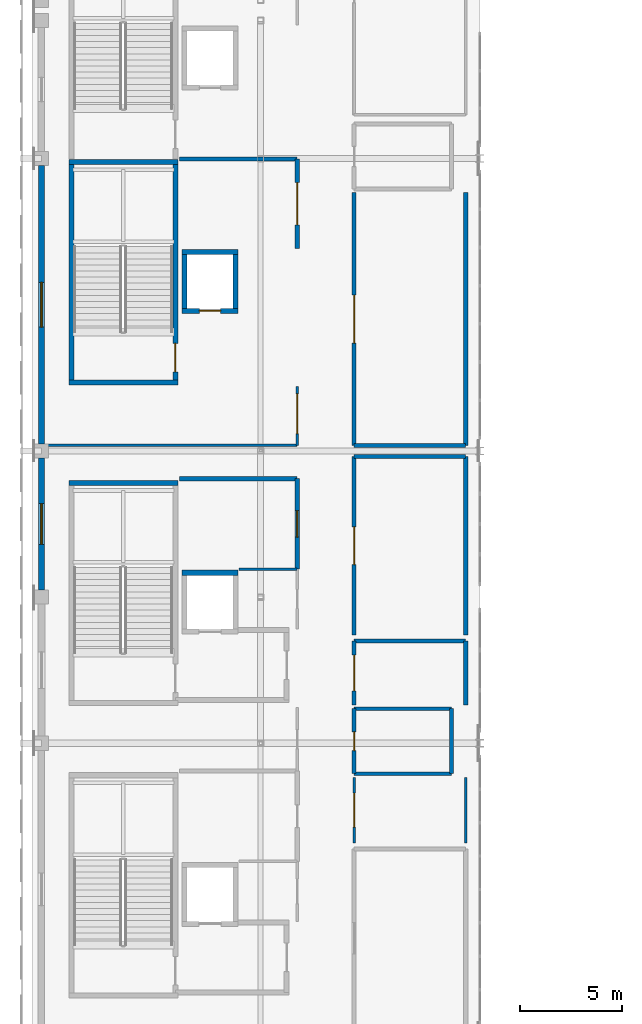
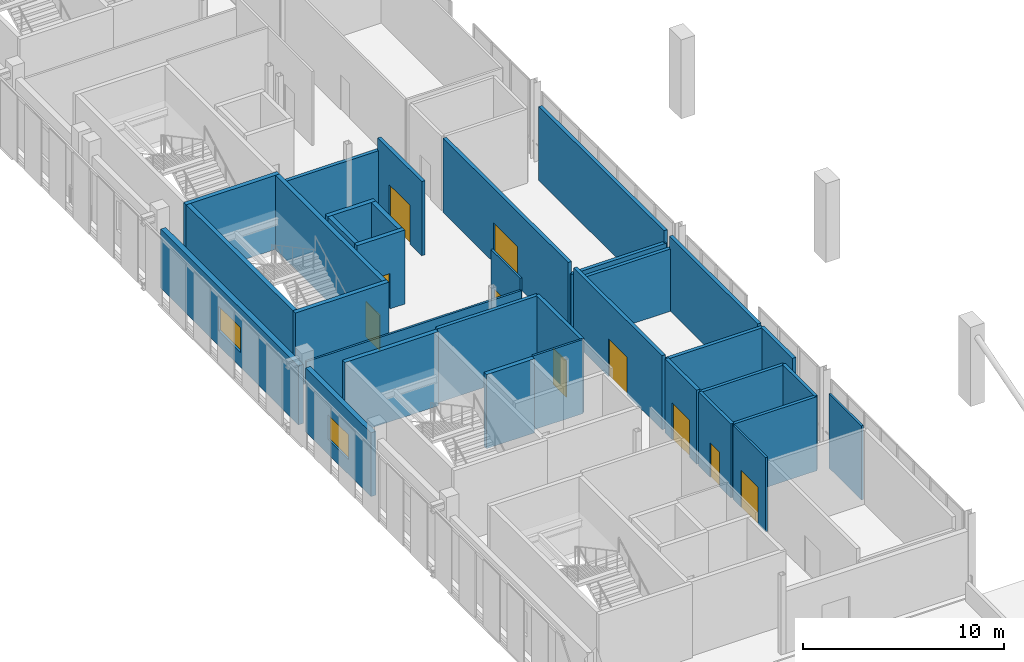
# One storey, part 32 of 51: 34 walls, 10 doors, 2 windows, 12 openings.
"""IFC4 building model written with IfcOpenShell, lengths in metres."""

from ifc_helpers import new_model, si_unit, direction, frame, frame_2d, origin, place, context, subcontext, project, spatial, rectangle, extrude, material, layer, layer_set, type_object, element, fill, save


model = new_model("IFC4")

# Units and contexts
model_context = context("Model", 3, precision=1e-05, world=origin(), true_north=direction((0.0, 1.0)))
body_context = subcontext(model_context, "Body", "Model", "MODEL_VIEW")
ifc_project = project(units=[si_unit("LENGTHUNIT", "METRE"), si_unit("AREAUNIT", "SQUARE_METRE"), si_unit("VOLUMEUNIT", "CUBIC_METRE"), si_unit("PLANEANGLEUNIT", "RADIAN"), si_unit("MASSUNIT", "GRAM", prefix="KILO")], contexts=[model_context])

# Site, building, storey
site_placement = place(None, origin())
site = spatial("IfcSite", under=ifc_project, at=site_placement, CompositionType="ELEMENT")
building_placement = place(site_placement, origin())
building = spatial("IfcBuilding", under=site, at=building_placement, Name="Koshinbarg Plaza Stadium", CompositionType="ELEMENT")
storey_placement = place(building_placement, frame((0.0, 0.0, 24.60009765625)))
storey = spatial("IfcBuildingStorey", under=building, at=storey_placement, Name="L05", CompositionType="ELEMENT", Elevation=24.60009765625)

# Walls
ifc_material_1 = material(Name="Concrete C40/50", Category="concrete")
ifc_layer_1 = layer(ifc_material_1, 0.25)
ifc_layer_set_1 = layer_set([ifc_layer_1], Name="Concrete C40/50")
wall_type_1 = type_object("IfcWallType", Name="WL-CORE-250", PredefinedType="SHEAR", material=ifc_layer_set_1)
for number, where, z_axis, x_axis, name in (
    (1, (31.320068359375, 52.72509765625, 0.0), (0.0, 0.0, 1.0), (-1.0, 0.0, 0.0), "L05 core stair shear wall C02-far IWL-L05-0050"),
    (2, (25.949951171875, 57.675048828125, 0.0), (0.0, 0.0, 1.0), (1.0, 0.0, 0.0), "L05 core stair shear wall C03-near IWL-L05-0077"),
    (3, (31.320068359375, 68.52490234375, 0.0), (0.0, 0.0, 1.0), (-1.0, 0.0, 0.0), "L05 core stair shear wall C03-far IWL-L05-0078"),
):
    element("IfcWall", number, at=place(storey_placement, frame(where, z_axis=z_axis, x_axis=x_axis)), inside=storey, type_object=wall_type_1, Name=name, PredefinedType="SHEAR", context=body_context, shape_type="SweptSolid", body=[
        extrude(rectangle(XDim=5.3701171875, YDim=0.25, at=frame_2d((2.68505859375, 0.0))), origin(), (0.0, 0.0, 1.0), 4.5),
    ])
wall_1_placement = place(storey_placement, frame((26.074951171875, 57.675048828125, 0.0), z_axis=(0.0, 0.0, 1.0), x_axis=(0.0, 1.0, 0.0)))
element("IfcWall", 4, at=wall_1_placement, inside=storey, type_object=wall_type_1, Name="L05 core stair shear wall C03-left IWL-L05-0079", PredefinedType="SHEAR", context=body_context, shape_type="SweptSolid", body=[
    extrude(rectangle(XDim=10.849853515625, YDim=0.25, at=frame_2d((5.4248046875, 0.0))), origin(), (0.0, 0.0, 1.0), 4.5),
])

# Wall, opening, door
wall_2_placement = place(storey_placement, frame((31.195068359375, 57.675048828125, 0.0), z_axis=(0.0, 0.0, 1.0), x_axis=(0.0, 1.0, 0.0)))
wall_2 = element("IfcWall", 5, at=wall_2_placement, inside=storey, type_object=wall_type_1, Name="L05 core stair shear wall C03-right IWL-L05-0080", PredefinedType="SHEAR", context=body_context, shape_type="SweptSolid", body=[
    extrude(rectangle(XDim=10.849853515625, YDim=0.25, at=frame_2d((5.4248046875, 0.0))), origin(), (0.0, 0.0, 1.0), 4.5),
])
opening_1_placement = place(wall_2_placement, frame((0.52001953125, 0.0, 0.0)))
opening_1 = element("IfcOpeningElement", 6, at=opening_1_placement, cuts=wall_2, Name="Opening D-0080", PredefinedType="OPENING", context=body_context, shape_type="SweptSolid", body=[
    extrude(rectangle(XDim=1.39990234375, YDim=2.14990234375, at=frame_2d((0.699951171875, 1.074951171875))), frame((0.0, 0.135009765625, 0.0), z_axis=(0.0, -1.0, 0.0), x_axis=(1.0, 0.0, 0.0)), (0.0, 0.0, 1.0), 0.27001953125),
])
ifc_material_2 = material(Name="Painted galvanized steel fire door", Category="steel")
door_type_1 = type_object("IfcDoorType", Name="DR-STAIR-1400", OperationType="NOTDEFINED", PredefinedType="DOOR", material=ifc_material_2)
door_1_placement = place(opening_1_placement, origin())
door_1 = element("IfcDoor", 7, at=door_1_placement, inside=storey, type_object=door_type_1, Name="L05 exit stair door C03", OperationType="SINGLE_SWING_RIGHT", OverallHeight=2.14990234375, OverallWidth=1.39990234375, PredefinedType="DOOR", context=body_context, shape_type="SweptSolid", body=[
    extrude(rectangle(XDim=1.39990234375, YDim=2.14990234375, at=frame_2d((0.699951171875, 1.074951171875))), frame((0.0, 0.02490234375, 0.0), z_axis=(0.0, -1.0, 0.0), x_axis=(1.0, 0.0, 0.0)), (0.0, 0.0, 1.0), 0.050048828125),
])
fill(opening_1, door_1)

# Wall
wall_3_placement = place(storey_placement, frame((34.27490234375, 48.300048828125, 0.0), z_axis=(0.0, 0.0, 1.0), x_axis=(-1.0, 0.0, 0.0)))
element("IfcWall", 8, at=wall_3_placement, inside=storey, type_object=wall_type_1, Name="L05 lift shaft shear wall FL02-N IWL-L05-0695", PredefinedType="SHEAR", context=body_context, shape_type="SweptSolid", body=[
    extrude(rectangle(XDim=2.75, YDim=0.25, at=frame_2d((1.375, 0.0))), origin(), (0.0, 0.0, 1.0), 4.5),
])

# Wall, opening, door
wall_4_placement = place(storey_placement, frame((31.52490234375, 61.199951171875, 0.0), z_axis=(0.0, 0.0, 1.0), x_axis=(1.0, 0.0, 0.0)))
wall_4 = element("IfcWall", 9, at=wall_4_placement, inside=storey, type_object=wall_type_1, Name="L05 lift shaft shear wall LP01-S IWL-L05-0728", PredefinedType="SHEAR", context=body_context, shape_type="SweptSolid", body=[
    extrude(rectangle(XDim=2.75, YDim=0.25, at=frame_2d((1.375, 0.0))), origin(), (0.0, 0.0, 1.0), 4.5),
])
opening_2_placement = place(wall_4_placement, frame((0.85009765625, 0.0, 0.0)))
opening_2 = element("IfcOpeningElement", 10, at=opening_2_placement, cuts=wall_4, Name="Opening D-0248", PredefinedType="OPENING", context=body_context, shape_type="SweptSolid", body=[
    extrude(rectangle(XDim=1.050048828125, YDim=2.14990234375, at=frame_2d((0.52490234375, 1.074951171875))), frame((0.0, 0.135009765625, 0.0), z_axis=(0.0, -1.0, 0.0), x_axis=(1.0, 0.0, 0.0)), (0.0, 0.0, 1.0), 0.27001953125),
])
ifc_material_3 = material(Name="Brushed stainless steel sliding lift landing door", Category="steel")
door_type_2 = type_object("IfcDoorType", Name="DR-LIFT-1050", OperationType="NOTDEFINED", PredefinedType="DOOR", material=ifc_material_3)
door_2_placement = place(opening_2_placement, origin())
door_2 = element("IfcDoor", 11, at=door_2_placement, inside=storey, type_object=door_type_2, Name="L05 lift landing door LP01", OperationType="SLIDING_TO_RIGHT", OverallHeight=2.14990234375, OverallWidth=1.050048828125, PredefinedType="DOOR", context=body_context, shape_type="SweptSolid", body=[
    extrude(rectangle(XDim=1.050048828125, YDim=2.14990234375, at=frame_2d((0.52490234375, 1.074951171875))), frame((0.0, 0.02490234375, 0.0), z_axis=(0.0, -1.0, 0.0), x_axis=(1.0, 0.0, 0.0)), (0.0, 0.0, 1.0), 0.050048828125),
])
fill(opening_2, door_2)

# Walls
wall_5_placement = place(storey_placement, frame((34.27490234375, 64.10009765625, 0.0), z_axis=(0.0, 0.0, 1.0), x_axis=(-1.0, 0.0, 0.0)))
element("IfcWall", 12, at=wall_5_placement, inside=storey, type_object=wall_type_1, Name="L05 lift shaft shear wall LP01-N IWL-L05-0729", PredefinedType="SHEAR", context=body_context, shape_type="SweptSolid", body=[
    extrude(rectangle(XDim=2.75, YDim=0.25, at=frame_2d((1.375, 0.0))), origin(), (0.0, 0.0, 1.0), 4.5),
])
for number, where, z_axis, x_axis, name in (
    (13, (31.64990234375, 64.10009765625, 0.0), (0.0, 0.0, 1.0), (0.0, -1.0, 0.0), "L05 lift shaft shear wall LP01-W IWL-L05-0730"),
    (14, (34.14990234375, 61.199951171875, 0.0), (0.0, 0.0, 1.0), (0.0, 1.0, 0.0), "L05 lift shaft shear wall LP01-E IWL-L05-0731"),
):
    element("IfcWall", number, at=place(storey_placement, frame(where, z_axis=z_axis, x_axis=x_axis)), inside=storey, type_object=wall_type_1, Name=name, PredefinedType="SHEAR", context=body_context, shape_type="SweptSolid", body=[
        extrude(rectangle(XDim=2.900146484375, YDim=0.25, at=frame_2d((1.4501953125, 0.0))), origin(), (0.0, 0.0, 1.0), 4.5),
    ])

# Wall, opening, window
ifc_material_4 = material(Name="Terracotta-ochre mineral plaster insulated wall", Category="masonry")
ifc_layer_2 = layer(ifc_material_4, 0.280029296875)
ifc_layer_set_2 = layer_set([ifc_layer_2], Name="Terracotta-ochre mineral plaster insulated wall")
wall_type_2 = type_object("IfcWallType", Name="WL-EXT-280", PredefinedType="SOLIDWALL", material=ifc_layer_set_2)
wall_6_placement = place(storey_placement, frame((24.60009765625, 47.445068359375, 0.0), z_axis=(0.0, 0.0, 1.0), x_axis=(0.0, 1.0, 0.0)))
wall_6 = element("IfcWall", 15, at=wall_6_placement, inside=storey, type_object=wall_type_2, Name="L05 exterior envelope wall EWL-L05-0224", PredefinedType="SOLIDWALL", context=body_context, shape_type="SweptSolid", body=[
    extrude(rectangle(XDim=6.510009765625, YDim=0.280029296875, at=frame_2d((3.2548828125, 0.0))), origin(), (0.0, 0.0, 1.0), 3.8798828125),
])
opening_3_placement = place(wall_6_placement, frame((2.2548828125, 0.0, 0.89990234375)))
opening_3 = element("IfcOpeningElement", 16, at=opening_3_placement, cuts=wall_6, Name="Opening WN05", PredefinedType="OPENING", context=body_context, shape_type="SweptSolid", body=[
    extrude(rectangle(XDim=2.0, YDim=1.5, at=frame_2d((1.0, 0.75))), frame((0.0, 0.14990234375, 0.0), z_axis=(0.0, -1.0, 0.0), x_axis=(1.0, 0.0, 0.0)), (0.0, 0.0, 1.0), 0.300048828125),
])
ifc_material_5 = material(Name="Solar-control double glazing in thermally broken aluminium frame", Category="aluminium")
window_type_1 = type_object("IfcWindowType", Name="WN-FAC-05", PartitioningType="DOUBLE_PANEL_VERTICAL", PredefinedType="WINDOW", material=ifc_material_5)
window_1_placement = place(opening_3_placement, origin())
window_1 = element("IfcWindow", 17, at=window_1_placement, inside=storey, type_object=window_type_1, Name="L05 facade window 0156", OverallHeight=1.5, OverallWidth=2.0, PartitioningType="SINGLE_PANEL", PredefinedType="WINDOW", context=body_context, shape_type="SweptSolid", body=[
    extrude(rectangle(XDim=2.0, YDim=1.5, at=frame_2d((1.0, 0.75))), frame((0.0, 0.030029296875, 0.0), z_axis=(0.0, -1.0, 0.0), x_axis=(1.0, 0.0, 0.0)), (0.0, 0.0, 1.0), 0.06005859375),
])
fill(opening_3, window_1)

ifc_material_6 = material(Name="Off-white mineral plaster insulated wall", Category="masonry")
ifc_layer_3 = layer(ifc_material_6, 0.300048828125)
ifc_layer_set_3 = layer_set([ifc_layer_3], Name="Off-white mineral plaster insulated wall")
wall_type_3 = type_object("IfcWallType", Name="WL-EXT-300", PredefinedType="SOLIDWALL", material=ifc_layer_set_3)
wall_7_placement = place(storey_placement, frame((24.60009765625, 54.64501953125, 0.0), z_axis=(0.0, 0.0, 1.0), x_axis=(0.0, 1.0, 0.0)))
wall_7 = element("IfcWall", 18, at=wall_7_placement, inside=storey, type_object=wall_type_3, Name="L05 exterior envelope wall EWL-L05-0225", PredefinedType="SOLIDWALL", context=body_context, shape_type="SweptSolid", body=[
    extrude(rectangle(XDim=13.7099609375, YDim=0.300048828125, at=frame_2d((6.85498046875, 0.0))), origin(), (0.0, 0.0, 1.0), 3.579833984375),
])
opening_4_placement = place(wall_7_placement, frame((5.7548828125, 0.0, 0.89990234375)))
opening_4 = element("IfcOpeningElement", 19, at=opening_4_placement, cuts=wall_7, Name="Opening WN06", PredefinedType="OPENING", context=body_context, shape_type="SweptSolid", body=[
    extrude(rectangle(XDim=2.199951171875, YDim=1.5, at=frame_2d((1.10009765625, 0.75))), frame((0.0, 0.159912109375, 0.0), z_axis=(0.0, -1.0, 0.0), x_axis=(1.0, 0.0, 0.0)), (0.0, 0.0, 1.0), 0.320068359375),
])
window_type_2 = type_object("IfcWindowType", Name="WN-FAC-06", PartitioningType="DOUBLE_PANEL_VERTICAL", PredefinedType="WINDOW", material=ifc_material_5)
window_2_placement = place(opening_4_placement, origin())
window_2 = element("IfcWindow", 20, at=window_2_placement, inside=storey, type_object=window_type_2, Name="L05 facade window 0157", OverallHeight=1.5, OverallWidth=2.199951171875, PartitioningType="SINGLE_PANEL", PredefinedType="WINDOW", context=body_context, shape_type="SweptSolid", body=[
    extrude(rectangle(XDim=2.199951171875, YDim=1.5, at=frame_2d((1.10009765625, 0.75))), frame((0.0, 0.030029296875, 0.0), z_axis=(0.0, -1.0, 0.0), x_axis=(1.0, 0.0, 0.0)), (0.0, 0.0, 1.0), 0.06005859375),
])
fill(opening_4, window_2)

# Walls
ifc_material_7 = material(Name="Gypsum board metal-stud acoustic partition")
ifc_layer_4 = layer(ifc_material_7, 0.1201171875)
ifc_layer_set_4 = layer_set([ifc_layer_4], Name="Gypsum board metal-stud acoustic partition")
wall_type_4 = type_object("IfcWallType", Name="WL-PART-120", PredefinedType="PARTITIONING", material=ifc_layer_set_4)
wall_8_placement = place(storey_placement, frame((37.199951171875, 48.47998046875, 0.0), z_axis=(0.0, 0.0, 1.0), x_axis=(-1.0, 0.0, 0.0)))
element("IfcWall", 21, at=wall_8_placement, inside=storey, type_object=wall_type_4, Name="L05 interior partition L05-36-north IWL-L05-2266", PredefinedType="PARTITIONING", context=body_context, shape_type="SweptSolid", body=[
    extrude(rectangle(XDim=2.869873046875, YDim=0.1201171875, at=frame_2d((1.43505859375, 0.0))), origin(), (0.0, 0.0, 1.0), 4.5),
])
wall_9_placement = place(storey_placement, frame((45.5, 34.994140625, 0.0), z_axis=(0.0, 0.0, 1.0), x_axis=(0.0, 1.0, 0.0)))
element("IfcWall", 22, at=wall_9_placement, inside=storey, type_object=wall_type_4, Name="L05 interior partition L05-38-east IWL-L05-2271", PredefinedType="PARTITIONING", context=body_context, shape_type="SweptSolid", body=[
    extrude(rectangle(XDim=3.225830078125, YDim=0.1201171875, at=frame_2d((1.61279296875, 0.0))), origin(), (0.0, 0.0, 1.0), 4.5),
])

# Wall, opening, door
wall_10_placement = place(storey_placement, frame((40.0, 38.219970703125, 0.0), z_axis=(0.0, 0.0, 1.0), x_axis=(0.0, -1.0, 0.0)))
wall_10 = element("IfcWall", 23, at=wall_10_placement, inside=storey, type_object=wall_type_4, Name="L05 interior partition L05-38-west IWL-L05-2272", PredefinedType="PARTITIONING", context=body_context, shape_type="SweptSolid", body=[
    extrude(rectangle(XDim=3.225830078125, YDim=0.1201171875, at=frame_2d((1.61279296875, 0.0))), origin(), (0.0, 0.0, 1.0), 4.5),
])
opening_5_placement = place(wall_10_placement, frame((0.77294921875, 0.0, 0.0)))
opening_5 = element("IfcOpeningElement", 24, at=opening_5_placement, cuts=wall_10, Name="Opening D-0785", PredefinedType="OPENING", context=body_context, shape_type="SweptSolid", body=[
    extrude(rectangle(XDim=1.679931640625, YDim=2.25, at=frame_2d((0.83984375, 1.125))), frame((0.0, 0.070068359375, 0.0), z_axis=(0.0, -1.0, 0.0), x_axis=(1.0, 0.0, 0.0)), (0.0, 0.0, 1.0), 0.14013671875),
])
ifc_material_8 = material(Name="Powder-coated aluminium double glazed door", Category="aluminium")
door_type_3 = type_object("IfcDoorType", Name="DR-INT-1680x2250", OperationType="NOTDEFINED", PredefinedType="DOOR", material=ifc_material_8)
door_3_placement = place(opening_5_placement, origin())
door_3 = element("IfcDoor", 25, at=door_3_placement, inside=storey, type_object=door_type_3, Name="L05 Sports Science Salon door D-0785", OperationType="DOUBLE_DOOR_SINGLE_SWING", OverallHeight=2.25, OverallWidth=1.679931640625, PredefinedType="DOOR", context=body_context, shape_type="SweptSolid", body=[
    extrude(rectangle(XDim=1.679931640625, YDim=2.25, at=frame_2d((0.83984375, 1.125))), frame((0.0, 0.02490234375, 0.0), z_axis=(0.0, -1.0, 0.0), x_axis=(1.0, 0.0, 0.0)), (0.0, 0.0, 1.0), 0.050048828125),
])
fill(opening_5, door_3)

# Wall
wall_11_placement = place(storey_placement, frame((24.844970703125, 54.570068359375, 0.0), z_axis=(0.0, 0.0, 1.0), x_axis=(1.0, 0.0, 0.0)))
element("IfcWall", 26, at=wall_11_placement, inside=storey, type_object=wall_type_4, Name="L05 interior partition L05-41-south IWL-L05-2279", PredefinedType="PARTITIONING", context=body_context, shape_type="SweptSolid", body=[
    extrude(rectangle(XDim=12.35498046875, YDim=0.1201171875, at=frame_2d((6.177490234375, 0.0))), origin(), (0.0, 0.0, 1.0), 3.77978515625),
])

# Wall, opening, door
wall_12_placement = place(storey_placement, frame((37.199951171875, 54.570068359375, 0.0), z_axis=(0.0, 0.0, 1.0), x_axis=(0.0, 1.0, 0.0)))
wall_12 = element("IfcWall", 27, at=wall_12_placement, inside=storey, type_object=wall_type_4, Name="L05 interior partition L05-41-east IWL-L05-2280", PredefinedType="PARTITIONING", context=body_context, shape_type="SweptSolid", body=[
    extrude(rectangle(XDim=2.89990234375, YDim=0.1201171875, at=frame_2d((1.449951171875, 0.0))), origin(), (0.0, 0.0, 1.0), 4.5),
])
opening_6_placement = place(wall_12_placement, frame((0.580322265625, 0.0, 0.0)))
opening_6 = element("IfcOpeningElement", 28, at=opening_6_placement, cuts=wall_12, Name="Opening D-0788", PredefinedType="OPENING", context=body_context, shape_type="SweptSolid", body=[
    extrude(rectangle(XDim=1.9599609375, YDim=2.300048828125, at=frame_2d((0.97998046875, 1.14990234375))), frame((0.0, 0.070068359375, 0.0), z_axis=(0.0, -1.0, 0.0), x_axis=(1.0, 0.0, 0.0)), (0.0, 0.0, 1.0), 0.14013671875),
])
ifc_material_9 = material(Name="Bronze-anodised aluminium glazed double door", Category="aluminium")
door_type_4 = type_object("IfcDoorType", Name="DR-INT-1960x2300", OperationType="NOTDEFINED", PredefinedType="DOOR", material=ifc_material_9)
door_4_placement = place(opening_6_placement, origin())
door_4 = element("IfcDoor", 29, at=door_4_placement, inside=storey, type_object=door_type_4, Name="L05 Sports Science Salon door D-0788", OperationType="DOUBLE_DOOR_SINGLE_SWING", OverallHeight=2.300048828125, OverallWidth=1.9599609375, PredefinedType="DOOR", context=body_context, shape_type="SweptSolid", body=[
    extrude(rectangle(XDim=1.9599609375, YDim=2.300048828125, at=frame_2d((0.97998046875, 1.14990234375))), frame((0.0, 0.02490234375, 0.0), z_axis=(0.0, -1.0, 0.0), x_axis=(1.0, 0.0, 0.0)), (0.0, 0.0, 1.0), 0.050048828125),
])
fill(opening_6, door_4)

# Walls
ifc_material_10 = material(Name="Moisture-resistant tiled sanitary partition")
ifc_layer_5 = layer(ifc_material_10, 0.179931640625)
ifc_layer_set_5 = layer_set([ifc_layer_5], Name="Moisture-resistant tiled sanitary partition")
wall_type_5 = type_object("IfcWallType", Name="WL-PART-180", PredefinedType="PARTITIONING", material=ifc_layer_set_5)
wall_13_placement = place(storey_placement, frame((40.0, 38.39990234375, 0.0), z_axis=(0.0, 0.0, 1.0), x_axis=(1.0, 0.0, 0.0)))
element("IfcWall", 30, at=wall_13_placement, inside=storey, type_object=wall_type_5, Name="L05 interior partition L05-27-south IWL-L05-2242", PredefinedType="PARTITIONING", context=body_context, shape_type="SweptSolid", body=[
    extrude(rectangle(XDim=4.800048828125, YDim=0.179931640625, at=frame_2d((2.39990234375, 0.0))), origin(), (0.0, 0.0, 1.0), 4.5),
])
wall_14_placement = place(storey_placement, frame((44.800048828125, 38.39990234375, 0.0), z_axis=(0.0, 0.0, 1.0), x_axis=(0.0, 1.0, 0.0)))
element("IfcWall", 31, at=wall_14_placement, inside=storey, type_object=wall_type_5, Name="L05 interior partition L05-27-east IWL-L05-2243", PredefinedType="PARTITIONING", context=body_context, shape_type="SweptSolid", body=[
    extrude(rectangle(XDim=3.2001953125, YDim=0.179931640625, at=frame_2d((1.60009765625, 0.0))), origin(), (0.0, 0.0, 1.0), 4.5),
])
wall_15_placement = place(storey_placement, frame((44.800048828125, 41.60009765625, 0.0), z_axis=(0.0, 0.0, 1.0), x_axis=(-1.0, 0.0, 0.0)))
element("IfcWall", 32, at=wall_15_placement, inside=storey, type_object=wall_type_5, Name="L05 interior partition L05-27-north IWL-L05-2244", PredefinedType="PARTITIONING", context=body_context, shape_type="SweptSolid", body=[
    extrude(rectangle(XDim=4.800048828125, YDim=0.179931640625, at=frame_2d((2.39990234375, 0.0))), origin(), (0.0, 0.0, 1.0), 4.5),
])

# Wall, opening, door
wall_16_placement = place(storey_placement, frame((40.0, 41.60009765625, 0.0), z_axis=(0.0, 0.0, 1.0), x_axis=(0.0, -1.0, 0.0)))
wall_16 = element("IfcWall", 33, at=wall_16_placement, inside=storey, type_object=wall_type_5, Name="L05 interior partition L05-27-west IWL-L05-2245", PredefinedType="PARTITIONING", context=body_context, shape_type="SweptSolid", body=[
    extrude(rectangle(XDim=3.2001953125, YDim=0.179931640625, at=frame_2d((1.60009765625, 0.0))), origin(), (0.0, 0.0, 1.0), 4.5),
])
opening_7_placement = place(wall_16_placement, frame((1.139892578125, 0.0, 0.0)))
opening_7 = element("IfcOpeningElement", 34, at=opening_7_placement, cuts=wall_16, Name="Opening D-0775", PredefinedType="OPENING", context=body_context, shape_type="SweptSolid", body=[
    extrude(rectangle(XDim=0.919921875, YDim=2.10009765625, at=frame_2d((0.4599609375, 1.050048828125))), frame((0.0, 0.099853515625, 0.0), z_axis=(0.0, -1.0, 0.0), x_axis=(1.0, 0.0, 0.0)), (0.0, 0.0, 1.0), 0.199951171875),
])
ifc_material_11 = material(Name="Solid-core oak veneer acoustic door")
door_type_5 = type_object("IfcDoorType", Name="DR-INT-0920x2100", OperationType="NOTDEFINED", PredefinedType="DOOR", material=ifc_material_11)
door_5_placement = place(opening_7_placement, origin())
door_5 = element("IfcDoor", 35, at=door_5_placement, inside=storey, type_object=door_type_5, Name="L05 Public Restroom 1 door D-0775", OperationType="SINGLE_SWING_LEFT", OverallHeight=2.10009765625, OverallWidth=0.919921875, PredefinedType="DOOR", context=body_context, shape_type="SweptSolid", body=[
    extrude(rectangle(XDim=0.919921875, YDim=2.10009765625, at=frame_2d((0.4599609375, 1.050048828125))), frame((0.0, 0.02490234375, 0.0), z_axis=(0.0, -1.0, 0.0), x_axis=(1.0, 0.0, 0.0)), (0.0, 0.0, 1.0), 0.050048828125),
])
fill(opening_7, door_5)

ifc_material_12 = material(Name="Autoclaved aerated blockwork fire partition", Category="masonry")
ifc_layer_6 = layer(ifc_material_12, 0.199951171875)
ifc_layer_set_6 = layer_set([ifc_layer_6], Name="Autoclaved aerated blockwork fire partition")
wall_type_6 = type_object("IfcWallType", Name="WL-PART-200", PredefinedType="PARTITIONING", material=ifc_layer_set_6)
wall_17_placement = place(storey_placement, frame((37.199951171875, 48.47998046875, 0.0), z_axis=(0.0, 0.0, 1.0), x_axis=(0.0, 1.0, 0.0)))
wall_17 = element("IfcWall", 36, at=wall_17_placement, inside=storey, type_object=wall_type_6, Name="L05 interior partition L05-35-east IWL-L05-2263", PredefinedType="PARTITIONING", context=body_context, shape_type="SweptSolid", body=[
    extrude(rectangle(XDim=4.449951171875, YDim=0.199951171875, at=frame_2d((2.22509765625, 0.0))), origin(), (0.0, 0.0, 1.0), 4.5),
])
opening_8_placement = place(wall_17_placement, frame((1.574951171875, 0.0, 0.0)))
opening_8 = element("IfcOpeningElement", 37, at=opening_8_placement, cuts=wall_17, Name="Opening D-0782", PredefinedType="OPENING", context=body_context, shape_type="SweptSolid", body=[
    extrude(rectangle(XDim=1.300048828125, YDim=2.199951171875, at=frame_2d((0.64990234375, 1.10009765625))), frame((0.0, 0.10986328125, 0.0), z_axis=(0.0, -1.0, 0.0), x_axis=(1.0, 0.0, 0.0)), (0.0, 0.0, 1.0), 0.219970703125),
])
ifc_material_13 = material(Name="Thermally broken anodised aluminium glazed door", Category="aluminium")
door_type_6 = type_object("IfcDoorType", Name="DR-INT-1300x2200", OperationType="NOTDEFINED", PredefinedType="DOOR", material=ifc_material_13)
door_6_placement = place(opening_8_placement, origin())
door_6 = element("IfcDoor", 38, at=door_6_placement, inside=storey, type_object=door_type_6, Name="L05 Stadium Operations Control door D-0782", OperationType="SINGLE_SWING_RIGHT", OverallHeight=2.199951171875, OverallWidth=1.300048828125, PredefinedType="DOOR", context=body_context, shape_type="SweptSolid", body=[
    extrude(rectangle(XDim=1.300048828125, YDim=2.199951171875, at=frame_2d((0.64990234375, 1.10009765625))), frame((0.0, 0.02490234375, 0.0), z_axis=(0.0, -1.0, 0.0), x_axis=(1.0, 0.0, 0.0)), (0.0, 0.0, 1.0), 0.050048828125),
])
fill(opening_8, door_6)

# Walls
wall_18_placement = place(storey_placement, frame((37.199951171875, 52.929931640625, 0.0), z_axis=(0.0, 0.0, 1.0), x_axis=(-1.0, 0.0, 0.0)))
element("IfcWall", 39, at=wall_18_placement, inside=storey, type_object=wall_type_6, Name="L05 interior partition L05-35-north IWL-L05-2264", PredefinedType="PARTITIONING", context=body_context, shape_type="SweptSolid", body=[
    extrude(rectangle(XDim=5.800048828125, YDim=0.199951171875, at=frame_2d((2.89990234375, 0.0))), origin(), (0.0, 0.0, 1.0), 4.5),
])
wall_19_placement = place(storey_placement, frame((45.5, 41.780029296875, 0.0), z_axis=(0.0, 0.0, 1.0), x_axis=(0.0, 1.0, 0.0)))
element("IfcWall", 40, at=wall_19_placement, inside=storey, type_object=wall_type_6, Name="L05 interior partition L05-39-east IWL-L05-2273", PredefinedType="PARTITIONING", context=body_context, shape_type="SweptSolid", body=[
    extrude(rectangle(XDim=3.15087890625, YDim=0.199951171875, at=frame_2d((1.575439453125, 0.0))), origin(), (0.0, 0.0, 1.0), 4.5),
])
wall_20_placement = place(storey_placement, frame((45.5, 44.930908203125, 0.0), z_axis=(0.0, 0.0, 1.0), x_axis=(-1.0, 0.0, 0.0)))
element("IfcWall", 41, at=wall_20_placement, inside=storey, type_object=wall_type_6, Name="L05 interior partition L05-39-north IWL-L05-2274", PredefinedType="PARTITIONING", context=body_context, shape_type="SweptSolid", body=[
    extrude(rectangle(XDim=5.5, YDim=0.199951171875, at=frame_2d((2.75, 0.0))), origin(), (0.0, 0.0, 1.0), 4.5),
])

# Wall, opening, door
wall_21_placement = place(storey_placement, frame((40.0, 44.930908203125, 0.0), z_axis=(0.0, 0.0, 1.0), x_axis=(0.0, -1.0, 0.0)))
wall_21 = element("IfcWall", 42, at=wall_21_placement, inside=storey, type_object=wall_type_6, Name="L05 interior partition L05-39-west IWL-L05-2275", PredefinedType="PARTITIONING", context=body_context, shape_type="SweptSolid", body=[
    extrude(rectangle(XDim=3.15087890625, YDim=0.199951171875, at=frame_2d((1.575439453125, 0.0))), origin(), (0.0, 0.0, 1.0), 4.5),
])
opening_9_placement = place(wall_21_placement, frame((0.6953125, 0.0, 0.0)))
opening_9 = element("IfcOpeningElement", 43, at=opening_9_placement, cuts=wall_21, Name="Opening D-0786", PredefinedType="OPENING", context=body_context, shape_type="SweptSolid", body=[
    extrude(rectangle(XDim=1.760009765625, YDim=2.25, at=frame_2d((0.8798828125, 1.125))), frame((0.0, 0.10986328125, 0.0), z_axis=(0.0, -1.0, 0.0), x_axis=(1.0, 0.0, 0.0)), (0.0, 0.0, 1.0), 0.219970703125),
])
ifc_material_14 = material(Name="Solid-core oak veneer double swing door")
door_type_7 = type_object("IfcDoorType", Name="DR-INT-1760x2250", OperationType="NOTDEFINED", PredefinedType="DOOR", material=ifc_material_14)
door_7_placement = place(opening_9_placement, origin())
door_7 = element("IfcDoor", 44, at=door_7_placement, inside=storey, type_object=door_type_7, Name="L05 Event Security Control door D-0786", OperationType="DOUBLE_DOOR_SINGLE_SWING", OverallHeight=2.25, OverallWidth=1.760009765625, PredefinedType="DOOR", context=body_context, shape_type="SweptSolid", body=[
    extrude(rectangle(XDim=1.760009765625, YDim=2.25, at=frame_2d((0.8798828125, 1.125))), frame((0.0, 0.02490234375, 0.0), z_axis=(0.0, -1.0, 0.0), x_axis=(1.0, 0.0, 0.0)), (0.0, 0.0, 1.0), 0.050048828125),
])
fill(opening_9, door_7)

# Walls
wall_22_placement = place(storey_placement, frame((45.5, 45.230712890625, 0.0), z_axis=(0.0, 0.0, 1.0), x_axis=(0.0, 1.0, 0.0)))
element("IfcWall", 45, at=wall_22_placement, inside=storey, type_object=wall_type_6, Name="L05 interior partition L05-40-east IWL-L05-2276", PredefinedType="PARTITIONING", context=body_context, shape_type="SweptSolid", body=[
    extrude(rectangle(XDim=8.79931640625, YDim=0.199951171875, at=frame_2d((4.399658203125, 0.0))), origin(), (0.0, 0.0, 1.0), 4.5),
])
wall_23_placement = place(storey_placement, frame((45.5, 54.030029296875, 0.0), z_axis=(0.0, 0.0, 1.0), x_axis=(-1.0, 0.0, 0.0)))
element("IfcWall", 46, at=wall_23_placement, inside=storey, type_object=wall_type_6, Name="L05 interior partition L05-40-north IWL-L05-2277", PredefinedType="PARTITIONING", context=body_context, shape_type="SweptSolid", body=[
    extrude(rectangle(XDim=5.5, YDim=0.199951171875, at=frame_2d((2.75, 0.0))), origin(), (0.0, 0.0, 1.0), 3.77978515625),
])

# Wall, opening, door
wall_24_placement = place(storey_placement, frame((40.0, 54.030029296875, 0.0), z_axis=(0.0, 0.0, 1.0), x_axis=(0.0, -1.0, 0.0)))
wall_24 = element("IfcWall", 47, at=wall_24_placement, inside=storey, type_object=wall_type_6, Name="L05 interior partition L05-40-west IWL-L05-2278", PredefinedType="PARTITIONING", context=body_context, shape_type="SweptSolid", body=[
    extrude(rectangle(XDim=8.79931640625, YDim=0.199951171875, at=frame_2d((4.399658203125, 0.0))), origin(), (0.0, 0.0, 1.0), 4.5),
])
opening_10_placement = place(wall_24_placement, frame((3.469482421875, 0.0, 0.0)))
opening_10 = element("IfcOpeningElement", 48, at=opening_10_placement, cuts=wall_24, Name="Opening D-0787", PredefinedType="OPENING", context=body_context, shape_type="SweptSolid", body=[
    extrude(rectangle(XDim=1.860107421875, YDim=2.300048828125, at=frame_2d((0.93017578125, 1.14990234375))), frame((0.0, 0.10986328125, 0.0), z_axis=(0.0, -1.0, 0.0), x_axis=(1.0, 0.0, 0.0)), (0.0, 0.0, 1.0), 0.219970703125),
])
ifc_material_15 = material(Name="Acoustic solid-core walnut veneer fire door")
door_type_8 = type_object("IfcDoorType", Name="DR-INT-1860x2300", OperationType="NOTDEFINED", PredefinedType="DOOR", material=ifc_material_15)
door_8_placement = place(opening_10_placement, origin())
door_8 = element("IfcDoor", 49, at=door_8_placement, inside=storey, type_object=door_type_8, Name="L05 Event Security Control door D-0787", OperationType="DOUBLE_DOOR_SINGLE_SWING", OverallHeight=2.300048828125, OverallWidth=1.860107421875, PredefinedType="DOOR", context=body_context, shape_type="SweptSolid", body=[
    extrude(rectangle(XDim=1.860107421875, YDim=2.300048828125, at=frame_2d((0.93017578125, 1.14990234375))), frame((0.0, 0.02490234375, 0.0), z_axis=(0.0, -1.0, 0.0), x_axis=(1.0, 0.0, 0.0)), (0.0, 0.0, 1.0), 0.050048828125),
])
fill(opening_10, door_8)

wall_25_placement = place(storey_placement, frame((37.199951171875, 64.280029296875, 0.0), z_axis=(0.0, 0.0, 1.0), x_axis=(0.0, 1.0, 0.0)))
wall_25 = element("IfcWall", 50, at=wall_25_placement, inside=storey, type_object=wall_type_6, Name="L05 interior partition L05-42-east IWL-L05-2281", PredefinedType="PARTITIONING", context=body_context, shape_type="SweptSolid", body=[
    extrude(rectangle(XDim=4.389892578125, YDim=0.199951171875, at=frame_2d((2.19482421875, 0.0))), origin(), (0.0, 0.0, 1.0), 4.5),
])
opening_11_placement = place(wall_25_placement, frame((1.155029296875, 0.0, 0.0)))
opening_11 = element("IfcOpeningElement", 51, at=opening_11_placement, cuts=wall_25, Name="Opening D-0789", PredefinedType="OPENING", context=body_context, shape_type="SweptSolid", body=[
    extrude(rectangle(XDim=2.080078125, YDim=2.35009765625, at=frame_2d((1.0400390625, 1.175048828125))), frame((0.0, 0.10986328125, 0.0), z_axis=(0.0, -1.0, 0.0), x_axis=(1.0, 0.0, 0.0)), (0.0, 0.0, 1.0), 0.219970703125),
])
ifc_material_16 = material(Name="Laminated safety glass aluminium vestibule door", Category="aluminium")
door_type_9 = type_object("IfcDoorType", Name="DR-INT-2080x2350", OperationType="NOTDEFINED", PredefinedType="DOOR", material=ifc_material_16)
door_9_placement = place(opening_11_placement, origin())
door_9 = element("IfcDoor", 52, at=door_9_placement, inside=storey, type_object=door_type_9, Name="L05 Event Security Control door D-0789", OperationType="DOUBLE_DOOR_SINGLE_SWING", OverallHeight=2.35009765625, OverallWidth=2.080078125, PredefinedType="DOOR", context=body_context, shape_type="SweptSolid", body=[
    extrude(rectangle(XDim=2.080078125, YDim=2.35009765625, at=frame_2d((1.0400390625, 1.175048828125))), frame((0.0, 0.02490234375, 0.0), z_axis=(0.0, -1.0, 0.0), x_axis=(1.0, 0.0, 0.0)), (0.0, 0.0, 1.0), 0.050048828125),
])
fill(opening_11, door_9)

# Walls
wall_26_placement = place(storey_placement, frame((37.199951171875, 68.669921875, 0.0), z_axis=(0.0, 0.0, 1.0), x_axis=(-1.0, 0.0, 0.0)))
element("IfcWall", 53, at=wall_26_placement, inside=storey, type_object=wall_type_6, Name="L05 interior partition L05-42-north IWL-L05-2282", PredefinedType="PARTITIONING", context=body_context, shape_type="SweptSolid", body=[
    extrude(rectangle(XDim=5.800048828125, YDim=0.199951171875, at=frame_2d((2.89990234375, 0.0))), origin(), (0.0, 0.0, 1.0), 3.77978515625),
])
wall_27_placement = place(storey_placement, frame((40.0, 54.570068359375, 0.0), z_axis=(0.0, 0.0, 1.0), x_axis=(1.0, 0.0, 0.0)))
element("IfcWall", 54, at=wall_27_placement, inside=storey, type_object=wall_type_6, Name="L05 interior partition L05-45-south IWL-L05-2287", PredefinedType="PARTITIONING", context=body_context, shape_type="SweptSolid", body=[
    extrude(rectangle(XDim=5.5, YDim=0.199951171875, at=frame_2d((2.75, 0.0))), origin(), (0.0, 0.0, 1.0), 3.77978515625),
])
wall_28_placement = place(storey_placement, frame((45.5, 54.570068359375, 0.0), z_axis=(0.0, 0.0, 1.0), x_axis=(0.0, 1.0, 0.0)))
element("IfcWall", 55, at=wall_28_placement, inside=storey, type_object=wall_type_6, Name="L05 interior partition L05-45-east IWL-L05-2288", PredefinedType="PARTITIONING", context=body_context, shape_type="SweptSolid", body=[
    extrude(rectangle(XDim=12.449951171875, YDim=0.199951171875, at=frame_2d((6.22509765625, 0.0))), origin(), (0.0, 0.0, 1.0), 4.5),
])

# Wall, opening, door
wall_29_placement = place(storey_placement, frame((40.0, 67.02001953125, 0.0), z_axis=(0.0, 0.0, 1.0), x_axis=(0.0, -1.0, 0.0)))
wall_29 = element("IfcWall", 56, at=wall_29_placement, inside=storey, type_object=wall_type_6, Name="L05 interior partition L05-45-west IWL-L05-2289", PredefinedType="PARTITIONING", context=body_context, shape_type="SweptSolid", body=[
    extrude(rectangle(XDim=12.449951171875, YDim=0.199951171875, at=frame_2d((6.22509765625, 0.0))), origin(), (0.0, 0.0, 1.0), 4.5),
])
opening_12_placement = place(wall_29_placement, frame((5.044921875, 0.0, 0.0)))
opening_12 = element("IfcOpeningElement", 57, at=opening_12_placement, cuts=wall_29, Name="Opening D-0792", PredefinedType="OPENING", context=body_context, shape_type="SweptSolid", body=[
    extrude(rectangle(XDim=2.360107421875, YDim=2.39990234375, at=frame_2d((1.18017578125, 1.199951171875))), frame((0.0, 0.10986328125, 0.0), z_axis=(0.0, -1.0, 0.0), x_axis=(1.0, 0.0, 0.0)), (0.0, 0.0, 1.0), 0.219970703125),
])
ifc_material_17 = material(Name="Powder-coated steel and tempered glass double door", Category="steel")
door_type_10 = type_object("IfcDoorType", Name="DR-INT-2360x2400", OperationType="NOTDEFINED", PredefinedType="DOOR", material=ifc_material_17)
door_10_placement = place(opening_12_placement, origin())
door_10 = element("IfcDoor", 58, at=door_10_placement, inside=storey, type_object=door_type_10, Name="L05 Event Security Control door D-0792", OperationType="DOUBLE_DOOR_SINGLE_SWING", OverallHeight=2.39990234375, OverallWidth=2.360107421875, PredefinedType="DOOR", context=body_context, shape_type="SweptSolid", body=[
    extrude(rectangle(XDim=2.360107421875, YDim=2.39990234375, at=frame_2d((1.18017578125, 1.199951171875))), frame((0.0, 0.02490234375, 0.0), z_axis=(0.0, -1.0, 0.0), x_axis=(1.0, 0.0, 0.0)), (0.0, 0.0, 1.0), 0.050048828125),
])
fill(opening_12, door_10)

save(model, "model.ifc")
